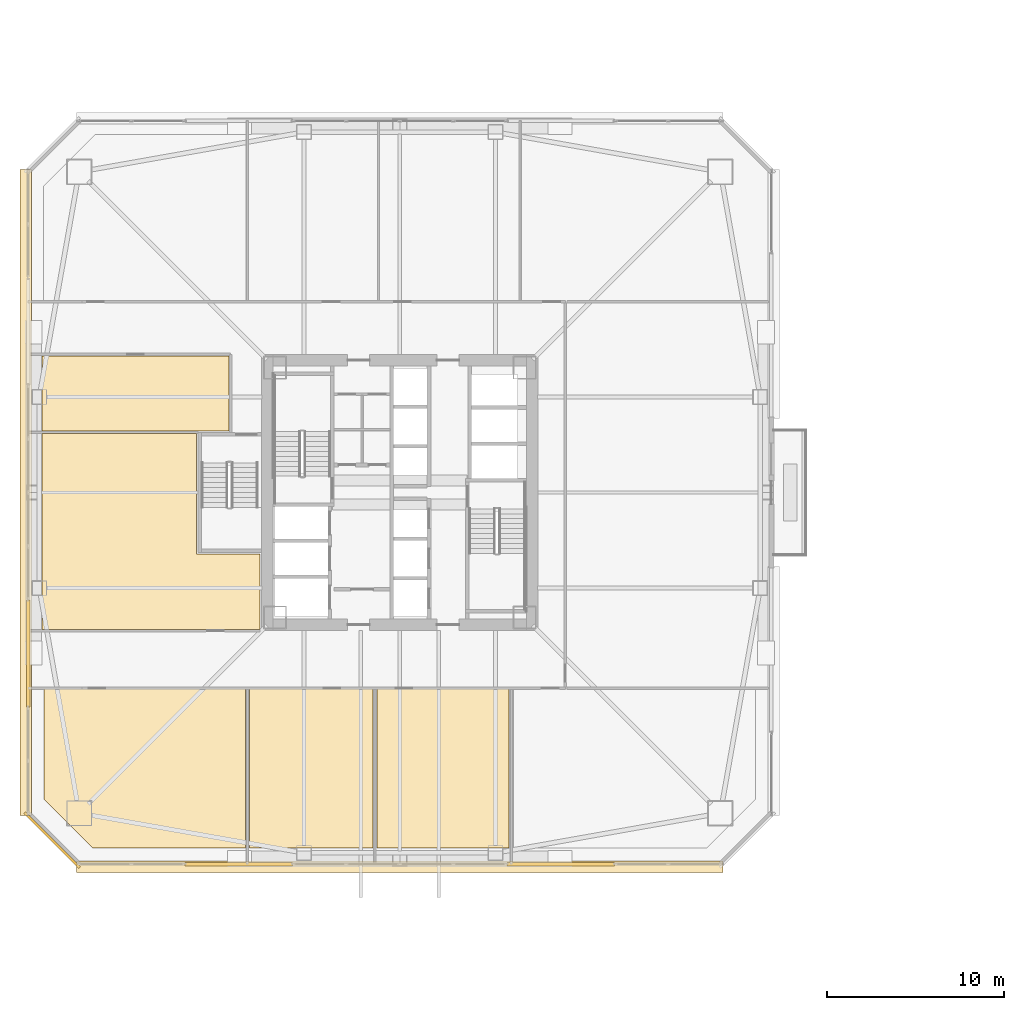
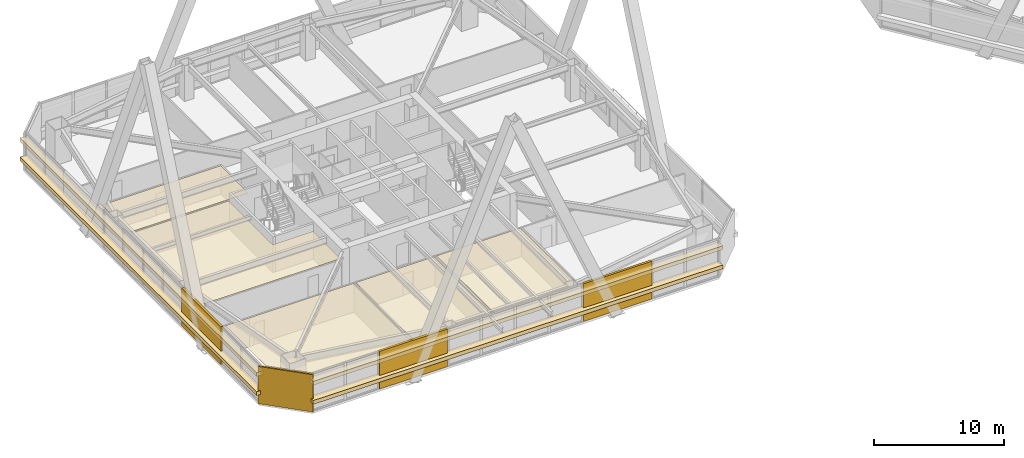
# One storey, part 48 of 54: 13 coverings.
"""IFC4 building model written with IfcOpenShell, lengths in metres."""

import ifcopenshell
import ifcopenshell.guid

model = None  # the IFC model being written
_history = None  # IfcOwnerHistory: only IFC2X3 demands one
_inside = {}  # id of a spatial element -> (the spatial element, [elements in it])
_under = {}  # id of a project, library or spatial element -> (it, [spatial elements below it])
_declared = {}  # id of a project -> (the project, [libraries it declares])
_typed = {}  # id of a type object -> (the type object, [elements of that type])
_made_of = {}  # id of a material, layer set ... -> (it, [elements and type objects made of it])


def new_model(schema):
    """Start an empty IFC model of exactly this schema.

    Asked for "IFC4X3", IfcOpenShell would pick the latest addendum, in which some entities
    have other attributes; the version numbers below select the first issue.
    IFC2X3 requires an IfcOwnerHistory on every rooted entity: one is made here for all.
    """
    global model, _history
    if schema == "IFC4X3":
        model = ifcopenshell.file(schema_version=(4, 3, 0, 0))
    else:
        model = ifcopenshell.file(schema=schema)
    _inside.clear()
    _under.clear()
    _declared.clear()
    _typed.clear()
    _made_of.clear()
    _history = None
    if model.schema == "IFC2X3":
        org = make("IfcOrganization", Name="unknown")
        user = make(
            "IfcPersonAndOrganization",
            ThePerson=make("IfcPerson", FamilyName="unknown"),
            TheOrganization=org,
        )
        app = make(
            "IfcApplication",
            ApplicationDeveloper=org,
            Version="unknown",
            ApplicationFullName="unknown",
            ApplicationIdentifier="unknown",
        )
        _history = make(
            "IfcOwnerHistory",
            OwningUser=user,
            OwningApplication=app,
            ChangeAction="ADDED",
            CreationDate=0,
        )
    return model


def make(cls, **values):
    """One entity of the class cls with the attributes given. An attribute that is None is left unset."""
    return model.create_entity(
        cls, **{name: value for name, value in values.items() if value is not None}
    )


def rooted(cls, **values):
    """An entity with a GlobalId (a new one), such as an element, a storey or a relation."""
    return make(cls, GlobalId=ifcopenshell.guid.new(), OwnerHistory=_history, **values)


def si_unit(unit_type, name, prefix=None):
    """IfcSIUnit, for example si_unit("LENGTHUNIT", "METRE", prefix="MILLI")."""
    return make("IfcSIUnit", UnitType=unit_type, Prefix=prefix, Name=name)


def assignment(units):
    """IfcUnitAssignment: the units of a project."""
    return None if units is None else make("IfcUnitAssignment", Units=units)


def point(xyz):
    """IfcCartesianPoint."""
    return None if xyz is None else make("IfcCartesianPoint", Coordinates=xyz)


def direction(xyz):
    """IfcDirection."""
    return None if xyz is None else make("IfcDirection", DirectionRatios=xyz)


def frame(location, z_axis=None, x_axis=None):
    """IfcAxis2Placement3D, a coordinate frame: its origin and axes. An axis left out is left unset."""
    return make(
        "IfcAxis2Placement3D",
        Location=point(location),
        Axis=direction(z_axis),
        RefDirection=direction(x_axis),
    )


def frame_2d(location, x_axis=None):
    """IfcAxis2Placement2D, a coordinate frame in the plane: its origin and x axis."""
    return make(
        "IfcAxis2Placement2D", Location=point(location), RefDirection=direction(x_axis)
    )


def origin():
    """The frame at (0, 0, 0) with its axes left unset."""
    return frame((0.0, 0.0, 0.0))


def origin_2d():
    """The frame at (0, 0) in the plane with its x axis left unset."""
    return frame_2d((0.0, 0.0))


def place(relative_to, where):
    """IfcLocalPlacement: puts the frame where relative to a parent placement (None: the world)."""
    return make(
        "IfcLocalPlacement", PlacementRelTo=relative_to, RelativePlacement=where
    )


def context(
    kind, dimensions, precision=None, world=None, true_north=None, identifier=None
):
    """IfcGeometricRepresentationContext, for example the 3D "Model" context."""
    return make(
        "IfcGeometricRepresentationContext",
        ContextIdentifier=identifier,
        ContextType=kind,
        CoordinateSpaceDimension=dimensions,
        Precision=precision,
        WorldCoordinateSystem=world,
        TrueNorth=true_north,
    )


def subcontext(parent, identifier, kind, view, scale=None):
    """IfcGeometricRepresentationSubContext, for example "Body" below "Model"."""
    return make(
        "IfcGeometricRepresentationSubContext",
        ContextIdentifier=identifier,
        ContextType=kind,
        ParentContext=parent,
        TargetScale=scale,
        TargetView=view,
    )


def project(units=None, contexts=None):
    """IfcProject with its units and contexts."""
    return rooted(
        "IfcProject",
        Name="project",
        RepresentationContexts=contexts,
        UnitsInContext=assignment(units),
    )


def spatial(cls, under=None, at=None, **own):
    """A site, building, storey or space (cls), placed at a placement, below another one or the project."""
    s = rooted(cls, ObjectPlacement=at, **own)
    if under is not None:
        _under.setdefault(under.id(), (under, []))[1].append(s)
    return s


def polyline(points):
    """IfcPolyline through the points."""
    return make("IfcPolyline", Points=[point(p) for p in points])


def profile(cls, at=None, kind="AREA", **sizes):
    """A parametric profile (cls). Its sizes go by their IFC names, for example OverallWidth=200.0."""
    return make(cls, ProfileType=kind, Position=at, **sizes)


def rectangle(**sizes):
    """IfcRectangleProfileDef."""
    return profile("IfcRectangleProfileDef", **sizes)


def outline(outer, holes=None, kind="AREA"):
    """IfcArbitraryClosedProfileDef: a profile drawn as a closed curve; with holes, ...WithVoids."""
    if holes is None:
        return make("IfcArbitraryClosedProfileDef", ProfileType=kind, OuterCurve=outer)
    return make(
        "IfcArbitraryProfileDefWithVoids",
        ProfileType=kind,
        OuterCurve=outer,
        InnerCurves=holes,
    )


def extrude(swept, where, along, depth):
    """IfcExtrudedAreaSolid: the profile swept, set in the frame where, extruded along a direction by depth."""
    return make(
        "IfcExtrudedAreaSolid",
        SweptArea=swept,
        Position=where,
        ExtrudedDirection=direction(along),
        Depth=depth,
    )


def shape(context_of_items, identifier, shape_type, items):
    """IfcShapeRepresentation: the items that make up one representation, for example the "Body"."""
    return make(
        "IfcShapeRepresentation",
        ContextOfItems=context_of_items,
        RepresentationIdentifier=identifier,
        RepresentationType=shape_type,
        Items=items,
    )


def material(Name=None, Category=None):
    """IfcMaterial."""
    return make("IfcMaterial", Name=Name, Category=Category)


def layer(
    of_material, thickness, ventilated=None, Name=None, Category=None, Priority=None
):
    """IfcMaterialLayer: one layer of a wall or slab, of a material (None: an air gap)."""
    return make(
        "IfcMaterialLayer",
        Material=of_material,
        LayerThickness=thickness,
        IsVentilated=ventilated,
        Name=Name,
        Category=Category,
        Priority=Priority,
    )


def layer_set(layers, Name=None):
    """IfcMaterialLayerSet."""
    return make("IfcMaterialLayerSet", MaterialLayers=layers, LayerSetName=Name)


def made_of(thing, what):
    """Note that an element or type object is made of a material, layer set ...; save() writes the relation."""
    if what is not None:
        _made_of.setdefault(what.id(), (what, []))[1].append(thing)
    return thing


def type_object(cls, material=None, **own):
    """A type object (cls), such as IfcWallType, which elements share."""
    return made_of(rooted(cls, **own), material)


def element(
    cls,
    number,
    at=None,
    inside=None,
    cuts=None,
    type_object=None,
    material=None,
    context=None,
    identifier="Body",
    shape_type=None,
    held_by="IfcProductDefinitionShape",
    body=None,
    shapes=None,
    **own,
):
    """One element of the class cls, such as IfcWall. Its Tag is "e" and its number.

    at: its placement. inside: the storey or other place that contains it. cuts: it is an
    opening in that element (IfcRelVoidsElement). A single representation is given by context,
    identifier, shape_type and body (its items); several are given by shapes. held_by: the class
    of the entity that holds the representations. save() writes the other relations.
    """
    e = rooted(cls, Tag="e%d" % number, ObjectPlacement=at, **own)
    if body is not None:
        shapes = [shape(context, identifier, shape_type, body)]
    if shapes is not None:
        e.Representation = make(held_by, Representations=shapes)
    if inside is not None:
        _inside.setdefault(inside.id(), (inside, []))[1].append(e)
    if cuts is not None:
        rooted(
            "IfcRelVoidsElement", RelatingBuildingElement=cuts, RelatedOpeningElement=e
        )
    if type_object is not None:
        _typed.setdefault(type_object.id(), (type_object, []))[1].append(e)
    return made_of(e, material)


def aggregate(whole, parts):
    """IfcRelAggregates: a whole, such as a stair, and the parts it consists of."""
    return rooted("IfcRelAggregates", RelatingObject=whole, RelatedObjects=parts)


def save(model, path):
    """Write the relations noted so far, then the file.

    IfcRelAggregates (storeys below a building ...), IfcRelContainedInSpatialStructure (elements
    in a storey), IfcRelDefinesByType, IfcRelAssociatesMaterial and IfcRelDeclares: one each for
    every whole, place, type object, material and project.
    """
    for whole, parts in _under.values():
        aggregate(whole, parts)
    for where, things in _inside.values():
        rooted(
            "IfcRelContainedInSpatialStructure",
            RelatedElements=things,
            RelatingStructure=where,
        )
    for kind, things in _typed.values():
        rooted("IfcRelDefinesByType", RelatedObjects=things, RelatingType=kind)
    for what, things in _made_of.values():
        rooted("IfcRelAssociatesMaterial", RelatedObjects=things, RelatingMaterial=what)
    for by, libraries in _declared.values():
        rooted("IfcRelDeclares", RelatingContext=by, RelatedDefinitions=libraries)
    model.write(path)


model = new_model("IFC4")

# Units and contexts
model_context = context("Model", 3, precision=1e-05, world=origin(), true_north=direction((0.0, 1.0)))
body_context = subcontext(model_context, "Body", "Model", "MODEL_VIEW")
ifc_project = project(units=[si_unit("LENGTHUNIT", "METRE"), si_unit("AREAUNIT", "SQUARE_METRE"), si_unit("VOLUMEUNIT", "CUBIC_METRE"), si_unit("PLANEANGLEUNIT", "RADIAN"), si_unit("MASSUNIT", "GRAM", prefix="KILO")], contexts=[model_context])

# Site, building, storey
site_placement = place(None, origin())
site = spatial("IfcSite", under=ifc_project, at=site_placement, CompositionType="ELEMENT")
building_placement = place(site_placement, origin())
building = spatial("IfcBuilding", under=site, at=building_placement, Name="Tashvorn Skyway Center", CompositionType="ELEMENT")
storey_placement = place(building_placement, frame((0.0, 0.0, 88.5)))
storey = spatial("IfcBuildingStorey", under=building, at=storey_placement, Name="L23", CompositionType="ELEMENT", Elevation=88.5)

# Coverings
ifc_material_1 = material(Name="Precast concrete C40/50", Category="concrete")
ifc_layer_1 = layer(ifc_material_1, 0.199951171875)
ifc_layer_set_1 = layer_set([ifc_layer_1], Name="Precast concrete C40/50")
covering_type_1 = type_object("IfcCoveringType", Name="COV-BRACE-CLAD", PredefinedType="CLADDING", material=ifc_layer_set_1)
for number, where, z_axis, x_axis, name in (
    (1, (51.090087890625, 11.02001953125, 0.0), (0.0, 0.0, 1.0), (-1.0, 0.0, 0.0), "Tower 1 L23 South Unitised Curtain Wall Mega-Brace Cladding Band 1"),
    (2, (32.909912109375, 11.02001953125, 0.0), (0.0, 0.0, 1.0), (-1.0, 0.0, 0.0), "Tower 1 L23 South Unitised Curtain Wall Mega-Brace Cladding Band 2"),
    (3, (21.02001953125, 22.909912109375, 0.0), (0.0, 0.0, 1.0), (0.0, 1.0, 0.0), "Tower 1 L23 West Unitised Curtain Wall Mega-Brace Cladding Band 1"),
):
    element("IfcCovering", number, at=place(storey_placement, frame(where, z_axis=z_axis, x_axis=x_axis)), inside=storey, type_object=covering_type_1, Name=name, PredefinedType="CLADDING", context=body_context, shape_type="SweptSolid", body=[
        extrude(rectangle(XDim=6.06005859375, YDim=0.199951171875, at=origin_2d()), origin(), (0.0, 0.0, 1.0), 3.550048828125),
    ])
ifc_material_2 = material(Name="Mineral-fibre acoustic ceiling tile on suspended grid")
ifc_layer_2 = layer(ifc_material_2, 0.02001953125)
ifc_layer_set_2 = layer_set([ifc_layer_2], Name="Mineral-fibre acoustic ceiling tile on suspended grid")
covering_type_2 = type_object("IfcCoveringType", Name="COV-CEIL-20", PredefinedType="CEILING", material=ifc_layer_set_2)
covering_1_placement = place(storey_placement, frame((0.0, 0.0, 2.68310546875)))
element("IfcCovering", 4, at=covering_1_placement, inside=storey, type_object=covering_type_2, Name="Tower 1 L23 Conference Room Acoustic Ceiling", PredefinedType="CEILING", context=body_context, shape_type="SweptSolid", body=[
    extrude(outline(polyline([(21.919921875, 20.909912109375), (33.280029296875, 20.909912109375), (33.280029296875, 11.919921875), (24.679931640625, 11.919921875), (21.919921875, 14.679931640625), (21.919921875, 20.909912109375)])), origin(), (0.0, 0.0, 1.0), 0.019775390625),
])
covering_2_placement = place(storey_placement, frame((0.0, 0.0, 2.68310546875)))
element("IfcCovering", 5, at=covering_2_placement, inside=storey, type_object=covering_type_2, Name="Tower 1 L23 Staff Fitness Club Acoustic Ceiling", PredefinedType="CEILING", context=body_context, shape_type="SweptSolid", body=[
    extrude(outline(polyline([(33.52001953125, 20.909912109375), (40.47998046875, 20.909912109375), (40.47998046875, 11.919921875), (33.52001953125, 11.919921875), (33.52001953125, 20.909912109375)])), origin(), (0.0, 0.0, 1.0), 0.019775390625),
])
covering_3_placement = place(storey_placement, frame((0.0, 0.0, 2.68310546875)))
element("IfcCovering", 6, at=covering_3_placement, inside=storey, type_object=covering_type_2, Name="Tower 1 L23 Staff Fitness Club Acoustic Ceiling", PredefinedType="CEILING", context=body_context, shape_type="SweptSolid", body=[
    extrude(outline(polyline([(40.719970703125, 20.909912109375), (48.179931640625, 20.909912109375), (48.179931640625, 11.919921875), (40.719970703125, 11.919921875), (40.719970703125, 20.909912109375)])), origin(), (0.0, 0.0, 1.0), 0.019775390625),
])
covering_4_placement = place(storey_placement, frame((0.0, 0.0, 2.68310546875)))
element("IfcCovering", 7, at=covering_4_placement, inside=storey, type_object=covering_type_2, Name="Tower 1 L23 Catering Pantry Acoustic Ceiling", PredefinedType="CEILING", context=body_context, shape_type="SweptSolid", body=[
    extrude(outline(polyline([(32.3701171875, 39.719970703125), (32.3701171875, 35.47998046875), (21.800048828125, 35.47998046875), (21.800048828125, 39.719970703125), (32.3701171875, 39.719970703125)])), origin(), (0.0, 0.0, 1.0), 0.019775390625),
])
covering_5_placement = place(storey_placement, frame((0.0, 0.0, 2.68310546875)))
element("IfcCovering", 8, at=covering_5_placement, inside=storey, type_object=covering_type_2, Name="Tower 1 L23 Public Restroom Acoustic Ceiling", PredefinedType="CEILING", context=body_context, shape_type="SweptSolid", body=[
    extrude(outline(polyline([(34.1201171875, 24.280029296875), (21.800048828125, 24.280029296875), (21.800048828125, 28.52001953125), (21.800048828125, 35.320068359375), (30.52001953125, 35.320068359375), (30.52001953125, 28.52001953125), (34.1201171875, 28.52001953125), (34.1201171875, 24.280029296875)])), origin(), (0.0, 0.0, 1.0), 0.019775390625),
])
ifc_material_3 = material(Name="Perforated ceramic-coated bronze aluminium solar screen", Category="aluminium")
ifc_layer_3 = layer(ifc_material_3, 0.85009765625)
ifc_layer_set_3 = layer_set([ifc_layer_3], Name="Perforated ceramic-coated bronze aluminium solar screen")
covering_type_3 = type_object("IfcCoveringType", Name="COV-SOLAR-BAND", PredefinedType="CLADDING", material=ifc_layer_set_3)
for number, where, z_axis, x_axis, name in (
    (9, (42.0, 10.8798828125, 0.919921875), (0.0, 0.0, 1.0), (-1.0, 0.0, 0.0), "L23 Perforated Ceramic-Metal Solar Screen Louvre Band South 1"),
    (10, (42.0, 10.8798828125, 2.7197265625), (0.0, 0.0, 1.0), (-1.0, 0.0, 0.0), "L23 Perforated Ceramic-Metal Solar Screen Louvre Band South 2"),
    (11, (20.8798828125, 32.0, 0.919921875), (0.0, 0.0, 1.0), (0.0, 1.0, 0.0), "L23 Perforated Ceramic-Metal Solar Screen Louvre Band West 1"),
    (12, (20.8798828125, 32.0, 2.7197265625), (0.0, 0.0, 1.0), (0.0, 1.0, 0.0), "L23 Perforated Ceramic-Metal Solar Screen Louvre Band West 2"),
):
    element("IfcCovering", number, at=place(storey_placement, frame(where, z_axis=z_axis, x_axis=x_axis)), inside=storey, type_object=covering_type_3, Name=name, PredefinedType="CLADDING", context=body_context, shape_type="SweptSolid", body=[
        extrude(rectangle(XDim=36.47998046875, YDim=0.639892578125, at=origin_2d()), origin(), (0.0, 0.0, 1.0), 0.360107421875),
    ])
ifc_layer_4 = layer(ifc_material_1, 0.35009765625)
ifc_layer_set_4 = layer_set([ifc_layer_4], Name="Precast concrete C40/50")
covering_type_4 = type_object("IfcCoveringType", Name="COV-STONE-TRIM", PredefinedType="CLADDING", material=ifc_layer_set_4)
covering_6_placement = place(storey_placement, frame((22.3798828125, 12.3798828125, 0.02001953125), z_axis=(0.0, 0.0, 1.0), x_axis=(-0.707106781187, 0.707106781187, 0.0)))
element("IfcCovering", 13, at=covering_6_placement, inside=storey, type_object=covering_type_4, Name="Tower 1 L23 SW Mojave Limestone Corner Quoin", PredefinedType="CLADDING", context=body_context, shape_type="SweptSolid", body=[
    extrude(rectangle(XDim=4.402587890625, YDim=0.139892578125, at=origin_2d()), origin(), (0.0, 0.0, 1.0), 3.510009765625),
])

save(model, "model.ifc")
